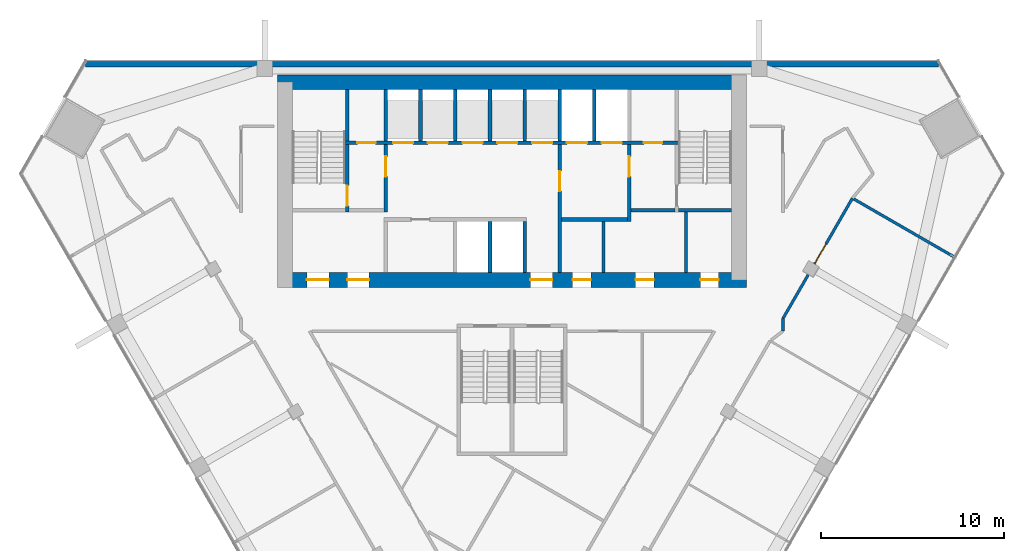
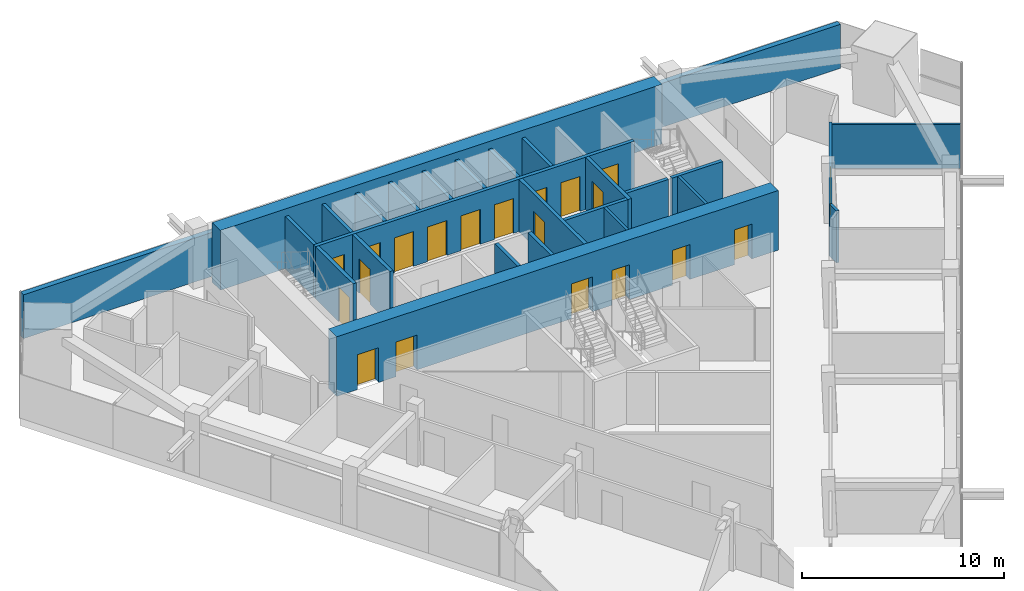
# One storey, part 10 of 13: 26 walls, 20 doors, 20 openings.
"""IFC4 building model written with IfcOpenShell, lengths in metres."""

from ifc_helpers import new_model, si_unit, direction, frame, frame_2d, origin, place, context, subcontext, project, spatial, rectangle, extrude, material, layer, layer_set, type_object, element, fill, save


model = new_model("IFC4")

# Units and contexts
model_context = context("Model", 3, precision=1e-05, world=origin(), true_north=direction((0.0, 1.0)))
body_context = subcontext(model_context, "Body", "Model", "MODEL_VIEW")
ifc_project = project(units=[si_unit("LENGTHUNIT", "METRE"), si_unit("AREAUNIT", "SQUARE_METRE"), si_unit("VOLUMEUNIT", "CUBIC_METRE"), si_unit("PLANEANGLEUNIT", "RADIAN"), si_unit("MASSUNIT", "GRAM", prefix="KILO")], contexts=[model_context])

# Site, building, storey
site_placement = place(None, origin())
site = spatial("IfcSite", under=ifc_project, at=site_placement, CompositionType="ELEMENT")
building_placement = place(site_placement, origin())
building = spatial("IfcBuilding", under=site, at=building_placement, Name="Altiplano Prism Tower", CompositionType="ELEMENT")
storey_placement = place(building_placement, frame((0.0, 0.0, 160.199951171875)))
storey = spatial("IfcBuildingStorey", under=building, at=storey_placement, Name="L41", CompositionType="ELEMENT", Elevation=160.199951171875)

# Wall, openings, doors
ifc_material_1 = material(Name="Concrete C60/75", Category="concrete")
ifc_layer_1 = layer(ifc_material_1, 0.800048828125)
ifc_layer_set_1 = layer_set([ifc_layer_1], Name="Concrete C60/75")
wall_type_1 = type_object("IfcWallType", Name="Core wall 800", PredefinedType="SHEAR", material=ifc_layer_set_1)
wall_1_placement = place(storey_placement, frame((72.60009765625, 93.0, 0.0), z_axis=(0.0, 0.0, 1.0), x_axis=(1.0, 0.0, 0.0)))
wall_1 = element("IfcWall", 1, at=wall_1_placement, inside=storey, type_object=wall_type_1, Name="Core wall S L41", PredefinedType="SHEAR", context=body_context, shape_type="SweptSolid", body=[
    extrude(rectangle(XDim=25.199951171875, YDim=0.800048828125, at=frame_2d((12.60009765625, 0.0))), origin(), (0.0, 0.0, 1.0), 3.60009765625),
])
opening_1_placement = place(wall_1_placement, frame((1.199951171875, 0.0, 0.0)))
opening_1 = element("IfcOpeningElement", 2, at=opening_1_placement, cuts=wall_1, Name="Opening D3145", PredefinedType="OPENING", context=body_context, shape_type="SweptSolid", body=[
    extrude(rectangle(XDim=1.199951171875, YDim=2.10009765625, at=frame_2d((0.60009765625, 1.050048828125))), frame((0.0, 0.41064453125, 0.0), z_axis=(0.0, -1.0, 0.0), x_axis=(1.0, 0.0, 0.0)), (0.0, 0.0, 1.0), 0.821044921875),
])
opening_2_placement = place(wall_1_placement, frame((3.39990234375, 0.0, 0.0)))
opening_2 = element("IfcOpeningElement", 3, at=opening_2_placement, cuts=wall_1, Name="Opening D3146", PredefinedType="OPENING", context=body_context, shape_type="SweptSolid", body=[
    extrude(rectangle(XDim=1.199951171875, YDim=2.10009765625, at=frame_2d((0.60009765625, 1.050048828125))), frame((0.0, 0.41064453125, 0.0), z_axis=(0.0, -1.0, 0.0), x_axis=(1.0, 0.0, 0.0)), (0.0, 0.0, 1.0), 0.821044921875),
])
opening_3_placement = place(wall_1_placement, frame((13.39990234375, 0.0, 0.0)))
opening_3 = element("IfcOpeningElement", 4, at=opening_3_placement, cuts=wall_1, Name="Opening D3147", PredefinedType="OPENING", context=body_context, shape_type="SweptSolid", body=[
    extrude(rectangle(XDim=1.199951171875, YDim=2.10009765625, at=frame_2d((0.60009765625, 1.050048828125))), frame((0.0, 0.41064453125, 0.0), z_axis=(0.0, -1.0, 0.0), x_axis=(1.0, 0.0, 0.0)), (0.0, 0.0, 1.0), 0.821044921875),
])
opening_4_placement = place(wall_1_placement, frame((15.71240234375, 0.0, 0.0)))
opening_4 = element("IfcOpeningElement", 5, at=opening_4_placement, cuts=wall_1, Name="Opening D3150", PredefinedType="OPENING", context=body_context, shape_type="SweptSolid", body=[
    extrude(rectangle(XDim=1.0, YDim=2.10009765625, at=frame_2d((0.5, 1.050048828125))), frame((0.0, 0.41064453125, 0.0), z_axis=(0.0, -1.0, 0.0), x_axis=(1.0, 0.0, 0.0)), (0.0, 0.0, 1.0), 0.821044921875),
])
opening_5_placement = place(wall_1_placement, frame((19.14990234375, 0.0, 0.0)))
opening_5 = element("IfcOpeningElement", 6, at=opening_5_placement, cuts=wall_1, Name="Opening D3151", PredefinedType="OPENING", context=body_context, shape_type="SweptSolid", body=[
    extrude(rectangle(XDim=1.0, YDim=2.10009765625, at=frame_2d((0.5, 1.050048828125))), frame((0.0, 0.41064453125, 0.0), z_axis=(0.0, -1.0, 0.0), x_axis=(1.0, 0.0, 0.0)), (0.0, 0.0, 1.0), 0.821044921875),
])
opening_6_placement = place(wall_1_placement, frame((22.6875, 0.0, 0.0)))
opening_6 = element("IfcOpeningElement", 7, at=opening_6_placement, cuts=wall_1, Name="Opening D3152", PredefinedType="OPENING", context=body_context, shape_type="SweptSolid", body=[
    extrude(rectangle(XDim=1.0, YDim=2.10009765625, at=frame_2d((0.5, 1.050048828125))), frame((0.0, 0.41064453125, 0.0), z_axis=(0.0, -1.0, 0.0), x_axis=(1.0, 0.0, 0.0)), (0.0, 0.0, 1.0), 0.821044921875),
])
ifc_material_2 = material(Name="Fire-rated steel door", Category="steel")
door_type_1 = type_object("IfcDoorType", Name="Core room door 1000 x 2100", OperationType="NOTDEFINED", PredefinedType="NOTDEFINED", material=ifc_material_2)
door_1_placement = place(opening_4_placement, origin())
door_1 = element("IfcDoor", 8, at=door_1_placement, inside=storey, type_object=door_type_1, Name="Core room door D3150", OperationType="SINGLE_SWING_RIGHT", OverallHeight=2.10009765625, OverallWidth=1.0, PredefinedType="NOTDEFINED", context=body_context, shape_type="SweptSolid", body=[
    extrude(rectangle(XDim=1.0, YDim=2.10009765625, at=frame_2d((0.5, 1.050048828125))), frame((0.0, 0.02490234375, 0.0), z_axis=(0.0, -1.0, 0.0), x_axis=(1.0, 0.0, 0.0)), (0.0, 0.0, 1.0), 0.050048828125),
])
fill(opening_4, door_1)
door_2_placement = place(opening_5_placement, origin())
door_2 = element("IfcDoor", 9, at=door_2_placement, inside=storey, type_object=door_type_1, Name="Core room door D3151", OperationType="SINGLE_SWING_LEFT", OverallHeight=2.10009765625, OverallWidth=1.0, PredefinedType="NOTDEFINED", context=body_context, shape_type="SweptSolid", body=[
    extrude(rectangle(XDim=1.0, YDim=2.10009765625, at=frame_2d((0.5, 1.050048828125))), frame((0.0, 0.02490234375, 0.0), z_axis=(0.0, -1.0, 0.0), x_axis=(1.0, 0.0, 0.0)), (0.0, 0.0, 1.0), 0.050048828125),
])
fill(opening_5, door_2)
door_3_placement = place(opening_6_placement, origin())
door_3 = element("IfcDoor", 10, at=door_3_placement, inside=storey, type_object=door_type_1, Name="Core room door D3152", OperationType="SINGLE_SWING_RIGHT", OverallHeight=2.10009765625, OverallWidth=1.0, PredefinedType="NOTDEFINED", context=body_context, shape_type="SweptSolid", body=[
    extrude(rectangle(XDim=1.0, YDim=2.10009765625, at=frame_2d((0.5, 1.050048828125))), frame((0.0, 0.02490234375, 0.0), z_axis=(0.0, -1.0, 0.0), x_axis=(1.0, 0.0, 0.0)), (0.0, 0.0, 1.0), 0.050048828125),
])
fill(opening_6, door_3)
door_type_2 = type_object("IfcDoorType", Name="Lobby fire door 1200 x 2100", OperationType="NOTDEFINED", PredefinedType="NOTDEFINED", material=ifc_material_2)
door_4_placement = place(opening_1_placement, origin())
door_4 = element("IfcDoor", 11, at=door_4_placement, inside=storey, type_object=door_type_2, Name="Lobby fire door D3145", OperationType="SINGLE_SWING_RIGHT", OverallHeight=2.10009765625, OverallWidth=1.199951171875, PredefinedType="NOTDEFINED", context=body_context, shape_type="SweptSolid", body=[
    extrude(rectangle(XDim=1.199951171875, YDim=2.10009765625, at=frame_2d((0.60009765625, 1.050048828125))), frame((0.0, 0.02490234375, 0.0), z_axis=(0.0, -1.0, 0.0), x_axis=(1.0, 0.0, 0.0)), (0.0, 0.0, 1.0), 0.050048828125),
])
fill(opening_1, door_4)
door_5_placement = place(opening_2_placement, origin())
door_5 = element("IfcDoor", 12, at=door_5_placement, inside=storey, type_object=door_type_2, Name="Lobby fire door D3146", OperationType="SINGLE_SWING_LEFT", OverallHeight=2.10009765625, OverallWidth=1.199951171875, PredefinedType="NOTDEFINED", context=body_context, shape_type="SweptSolid", body=[
    extrude(rectangle(XDim=1.199951171875, YDim=2.10009765625, at=frame_2d((0.60009765625, 1.050048828125))), frame((0.0, 0.02490234375, 0.0), z_axis=(0.0, -1.0, 0.0), x_axis=(1.0, 0.0, 0.0)), (0.0, 0.0, 1.0), 0.050048828125),
])
fill(opening_2, door_5)
door_6_placement = place(opening_3_placement, origin())
door_6 = element("IfcDoor", 13, at=door_6_placement, inside=storey, type_object=door_type_2, Name="Lobby fire door D3147", OperationType="SINGLE_SWING_RIGHT", OverallHeight=2.10009765625, OverallWidth=1.199951171875, PredefinedType="NOTDEFINED", context=body_context, shape_type="SweptSolid", body=[
    extrude(rectangle(XDim=1.199951171875, YDim=2.10009765625, at=frame_2d((0.60009765625, 1.050048828125))), frame((0.0, 0.02490234375, 0.0), z_axis=(0.0, -1.0, 0.0), x_axis=(1.0, 0.0, 0.0)), (0.0, 0.0, 1.0), 0.050048828125),
])
fill(opening_3, door_6)

# Walls
wall_2_placement = place(storey_placement, frame((97.39990234375, 103.800048828125, 0.0), z_axis=(0.0, 0.0, 1.0), x_axis=(-1.0, 0.0, 0.0)))
element("IfcWall", 14, at=wall_2_placement, inside=storey, type_object=wall_type_1, Name="Core wall N L41", PredefinedType="SHEAR", context=body_context, shape_type="SweptSolid", body=[
    extrude(rectangle(XDim=25.199951171875, YDim=0.800048828125, at=frame_2d((12.60009765625, 0.0))), origin(), (0.0, 0.0, 1.0), 3.60009765625),
])
ifc_material_3 = material(Name="Plasterboard on steel stud", Category="steel")
ifc_layer_2 = layer(ifc_material_3, 0.14990234375)
ifc_layer_set_2 = layer_set([ifc_layer_2], Name="Plasterboard on steel stud")
wall_type_2 = type_object("IfcWallType", Name="Partition 150 corridor", PredefinedType="PARTITIONING", material=ifc_layer_set_2)
wall_3_placement = place(storey_placement, frame((99.800048828125, 90.199951171875, 0.0), z_axis=(0.0, 0.0, 1.0), x_axis=(0.0, 1.0, 0.0)))
element("IfcWall", 15, at=wall_3_placement, inside=storey, type_object=wall_type_2, Name="Partition P06 L41 011", PredefinedType="PARTITIONING", context=body_context, shape_type="SweptSolid", body=[
    extrude(rectangle(XDim=0.686767578125, YDim=0.14990234375, at=frame_2d((0.34326171875, 0.0))), origin(), (0.0, 0.0, 1.0), 3.150146484375),
])

# Wall, opening, door
wall_4_placement = place(storey_placement, frame((99.800048828125, 90.88671875, 0.0), z_axis=(0.0, 0.0, 1.0), x_axis=(0.499986781806, 0.866033035178, 0.0)))
wall_4 = element("IfcWall", 16, at=wall_4_placement, inside=storey, type_object=wall_type_2, Name="Partition P06 L41 012", PredefinedType="PARTITIONING", context=body_context, shape_type="SweptSolid", body=[
    extrude(rectangle(XDim=7.595458984375, YDim=0.14990234375, at=frame_2d((3.7978515625, 0.0))), origin(), (0.0, 0.0, 1.0), 2.75),
])
opening_7_placement = place(wall_4_placement, frame((3.510986328125, 0.0, 0.0)))
opening_7 = element("IfcOpeningElement", 17, at=opening_7_placement, cuts=wall_4, Name="Opening D1468", PredefinedType="OPENING", context=body_context, shape_type="SweptSolid", body=[
    extrude(rectangle(XDim=1.199951171875, YDim=2.10009765625, at=frame_2d((0.60009765625, 1.050048828125))), frame((0.0, 0.08544921875, 0.0), z_axis=(0.0, -1.0, 0.0), x_axis=(1.0, 0.0, 0.0)), (0.0, 0.0, 1.0), 0.1708984375),
])
ifc_material_4 = material(Name="Timber", Category="wood")
door_type_3 = type_object("IfcDoorType", Name="Shared room door 1200 x 2100", OperationType="NOTDEFINED", PredefinedType="NOTDEFINED", material=ifc_material_4)
door_7_placement = place(opening_7_placement, origin())
door_7 = element("IfcDoor", 18, at=door_7_placement, inside=storey, type_object=door_type_3, Name="Door D1468", OperationType="SINGLE_SWING_LEFT", OverallHeight=2.10009765625, OverallWidth=1.199951171875, PredefinedType="NOTDEFINED", context=body_context, shape_type="SweptSolid", body=[
    extrude(rectangle(XDim=1.199951171875, YDim=2.10009765625, at=frame_2d((0.60009765625, 1.050048828125))), frame((0.0, 0.02490234375, 0.0), z_axis=(0.0, -1.0, 0.0), x_axis=(1.0, 0.0, 0.0)), (0.0, 0.0, 1.0), 0.050048828125),
])
fill(opening_7, door_7)

# Walls
ifc_layer_3 = layer(ifc_material_3, 0.14990234375)
ifc_layer_set_3 = layer_set([ifc_layer_3], Name="Plasterboard on steel stud")
wall_type_3 = type_object("IfcWallType", Name="Partition 150 party", PredefinedType="PARTITIONING", material=ifc_layer_set_3)
wall_5_placement = place(storey_placement, frame((109.140380859375, 94.2646484375, 0.0), z_axis=(0.0, 0.0, 1.0), x_axis=(-0.866025537322, 0.499999768706, 0.0)))
element("IfcWall", 19, at=wall_5_placement, inside=storey, type_object=wall_type_3, Name="Partition P01 L41 047", PredefinedType="PARTITIONING", context=body_context, shape_type="SweptSolid", body=[
    extrude(rectangle(XDim=6.3251953125, YDim=0.14990234375, at=frame_2d((3.16259765625, 0.0))), origin(), (0.0, 0.0, 1.0), 2.650146484375),
])
ifc_material_5 = material(Name="Fire-rated gypsum board partition")
ifc_layer_4 = layer(ifc_material_5, 0.14990234375)
ifc_layer_set_4 = layer_set([ifc_layer_4], Name="Fire-rated gypsum board partition")
wall_type_4 = type_object("IfcWallType", Name="Room partition 150", PredefinedType="PARTITIONING", material=ifc_layer_set_4)
wall_6_placement = place(storey_placement, frame((90.0, 93.39990234375, 0.0), z_axis=(0.0, 0.0, 1.0), x_axis=(0.0, 1.0, 0.0)))
element("IfcWall", 20, at=wall_6_placement, inside=storey, type_object=wall_type_4, Name="Room partition L41", PredefinedType="PARTITIONING", context=body_context, shape_type="SweptSolid", body=[
    extrude(rectangle(XDim=2.800048828125, YDim=0.14990234375, at=frame_2d((1.39990234375, 0.0))), origin(), (0.0, 0.0, 1.0), 3.150146484375),
])
wall_7_placement = place(storey_placement, frame((94.5, 93.39990234375, 0.0), z_axis=(0.0, 0.0, 1.0), x_axis=(0.0, 1.0, 0.0)))
element("IfcWall", 21, at=wall_7_placement, inside=storey, type_object=wall_type_4, Name="Room partition L41", PredefinedType="PARTITIONING", context=body_context, shape_type="SweptSolid", body=[
    extrude(rectangle(XDim=3.300048828125, YDim=0.14990234375, at=frame_2d((1.64990234375, 0.0))), origin(), (0.0, 0.0, 1.0), 3.150146484375),
])
ifc_layer_5 = layer(ifc_material_1, 0.199951171875)
ifc_layer_set_5 = layer_set([ifc_layer_5], Name="Concrete C60/75")
wall_type_5 = type_object("IfcWallType", Name="Shaft wall 200", PredefinedType="SOLIDWALL", material=ifc_layer_set_5)
for number, where, z_axis, x_axis, name in (
    (22, (83.800048828125, 93.39990234375, 0.0), (0.0, 0.0, 1.0), (0.0, 1.0, 0.0), "Shaft wall L41"),
    (23, (85.699951171875, 93.39990234375, 0.0), (0.0, 0.0, 1.0), (0.0, 1.0, 0.0), "Shaft wall L41"),
):
    element("IfcWall", number, at=place(storey_placement, frame(where, z_axis=z_axis, x_axis=x_axis)), inside=storey, type_object=wall_type_5, Name=name, PredefinedType="SOLIDWALL", context=body_context, shape_type="SweptSolid", body=[
        extrude(rectangle(XDim=2.800048828125, YDim=0.199951171875, at=frame_2d((1.39990234375, 0.0))), origin(), (0.0, 0.0, 1.0), 3.150146484375),
    ])
for number, where, z_axis, x_axis, name in (
    (24, (78.10009765625, 100.60009765625, 0.0), (0.0, 0.0, 1.0), (0.0, 1.0, 0.0), "Shaft wall L41"),
    (25, (80.0, 100.60009765625, 0.0), (0.0, 0.0, 1.0), (0.0, 1.0, 0.0), "Shaft wall L41"),
    (26, (81.89990234375, 100.60009765625, 0.0), (0.0, 0.0, 1.0), (0.0, 1.0, 0.0), "Shaft wall L41"),
    (27, (83.800048828125, 100.60009765625, 0.0), (0.0, 0.0, 1.0), (0.0, 1.0, 0.0), "Shaft wall L41"),
    (28, (85.699951171875, 100.60009765625, 0.0), (0.0, 0.0, 1.0), (0.0, 1.0, 0.0), "Shaft wall L41"),
    (29, (87.60009765625, 100.60009765625, 0.0), (0.0, 0.0, 1.0), (0.0, 1.0, 0.0), "Shaft wall L41"),
    (30, (89.5, 100.60009765625, 0.0), (0.0, 0.0, 1.0), (0.0, 1.0, 0.0), "Shaft wall L41"),
):
    element("IfcWall", number, at=place(storey_placement, frame(where, z_axis=z_axis, x_axis=x_axis)), inside=storey, type_object=wall_type_5, Name=name, PredefinedType="SOLIDWALL", context=body_context, shape_type="SweptSolid", body=[
        extrude(rectangle(XDim=2.7998046875, YDim=0.199951171875, at=frame_2d((1.39990234375, 0.0))), origin(), (0.0, 0.0, 1.0), 3.150146484375),
    ])

# Wall, opening, door
ifc_layer_6 = layer(ifc_material_1, 0.199951171875)
ifc_layer_set_6 = layer_set([ifc_layer_6], Name="Concrete C60/75")
wall_type_6 = type_object("IfcWallType", Name="Stair wall 200", PredefinedType="SOLIDWALL", material=ifc_layer_set_6)
wall_8_placement = place(storey_placement, frame((76.0, 96.699951171875, 0.0), z_axis=(0.0, 0.0, 1.0), x_axis=(0.0, 1.0, 0.0)))
wall_8 = element("IfcWall", 31, at=wall_8_placement, inside=storey, type_object=wall_type_6, Name="Stair wall L41", PredefinedType="SOLIDWALL", context=body_context, shape_type="SweptSolid", body=[
    extrude(rectangle(XDim=3.699951171875, YDim=0.199951171875, at=frame_2d((1.85009765625, 0.0))), origin(), (0.0, 0.0, 1.0), 3.150146484375),
])
opening_8_placement = place(wall_8_placement, frame((0.35009765625, 0.0, 0.0)))
opening_8 = element("IfcOpeningElement", 32, at=opening_8_placement, cuts=wall_8, Name="Opening D3140", PredefinedType="OPENING", context=body_context, shape_type="SweptSolid", body=[
    extrude(rectangle(XDim=1.10009765625, YDim=2.10009765625, at=frame_2d((0.550048828125, 1.050048828125))), frame((0.0, 0.1103515625, 0.0), z_axis=(0.0, -1.0, 0.0), x_axis=(1.0, 0.0, 0.0)), (0.0, 0.0, 1.0), 0.220947265625),
])
door_type_4 = type_object("IfcDoorType", Name="Stair fire door 1100 x 2100", OperationType="NOTDEFINED", PredefinedType="NOTDEFINED", material=ifc_material_2)
door_8_placement = place(opening_8_placement, origin())
door_8 = element("IfcDoor", 33, at=door_8_placement, inside=storey, type_object=door_type_4, Name="Stair fire door D3140", OperationType="SINGLE_SWING_RIGHT", OverallHeight=2.10009765625, OverallWidth=1.10009765625, PredefinedType="NOTDEFINED", context=body_context, shape_type="SweptSolid", body=[
    extrude(rectangle(XDim=1.10009765625, YDim=2.10009765625, at=frame_2d((0.550048828125, 1.050048828125))), frame((0.0, 0.02490234375, 0.0), z_axis=(0.0, -1.0, 0.0), x_axis=(1.0, 0.0, 0.0)), (0.0, 0.0, 1.0), 0.050048828125),
])
fill(opening_8, door_8)

# Wall
wall_9_placement = place(storey_placement, frame((94.10009765625, 96.800048828125, 0.0), z_axis=(0.0, 0.0, 1.0), x_axis=(1.0, 0.0, 0.0)))
element("IfcWall", 34, at=wall_9_placement, inside=storey, type_object=wall_type_6, Name="Stair wall L41", PredefinedType="SOLIDWALL", context=body_context, shape_type="SweptSolid", body=[
    extrude(rectangle(XDim=2.89990234375, YDim=0.199951171875, at=frame_2d((1.449951171875, 0.0))), origin(), (0.0, 0.0, 1.0), 3.150146484375),
])

# Wall, openings, doors
wall_10_placement = place(storey_placement, frame((75.89990234375, 100.5, 0.0), z_axis=(0.0, 0.0, 1.0), x_axis=(1.0, 0.0, 0.0)))
wall_10 = element("IfcWall", 35, at=wall_10_placement, inside=storey, type_object=wall_type_6, Name="Stair wall L41", PredefinedType="SOLIDWALL", context=body_context, shape_type="SweptSolid", body=[
    extrude(rectangle(XDim=18.2001953125, YDim=0.199951171875, at=frame_2d((9.10009765625, 0.0))), origin(), (0.0, 0.0, 1.0), 3.150146484375),
])
opening_9_placement = place(wall_10_placement, frame((2.60009765625, 0.0, 0.0)))
opening_9 = element("IfcOpeningElement", 36, at=opening_9_placement, cuts=wall_10, Name="Opening LD-ML1-L41", PredefinedType="OPENING", context=body_context, shape_type="SweptSolid", body=[
    extrude(rectangle(XDim=1.10009765625, YDim=2.10009765625, at=frame_2d((0.550048828125, 1.050048828125))), frame((0.0, 0.1103515625, 0.0), z_axis=(0.0, -1.0, 0.0), x_axis=(1.0, 0.0, 0.0)), (0.0, 0.0, 1.0), 0.220947265625),
])
opening_10_placement = place(wall_10_placement, frame((4.5, 0.0, 0.0)))
opening_10 = element("IfcOpeningElement", 37, at=opening_10_placement, cuts=wall_10, Name="Opening LD-ML2-L41", PredefinedType="OPENING", context=body_context, shape_type="SweptSolid", body=[
    extrude(rectangle(XDim=1.10009765625, YDim=2.10009765625, at=frame_2d((0.550048828125, 1.050048828125))), frame((0.0, 0.1103515625, 0.0), z_axis=(0.0, -1.0, 0.0), x_axis=(1.0, 0.0, 0.0)), (0.0, 0.0, 1.0), 0.220947265625),
])
opening_11_placement = place(wall_10_placement, frame((6.39990234375, 0.0, 0.0)))
opening_11 = element("IfcOpeningElement", 38, at=opening_11_placement, cuts=wall_10, Name="Opening LD-ML3-L41", PredefinedType="OPENING", context=body_context, shape_type="SweptSolid", body=[
    extrude(rectangle(XDim=1.10009765625, YDim=2.10009765625, at=frame_2d((0.550048828125, 1.050048828125))), frame((0.0, 0.1103515625, 0.0), z_axis=(0.0, -1.0, 0.0), x_axis=(1.0, 0.0, 0.0)), (0.0, 0.0, 1.0), 0.220947265625),
])
opening_12_placement = place(wall_10_placement, frame((8.300048828125, 0.0, 0.0)))
opening_12 = element("IfcOpeningElement", 39, at=opening_12_placement, cuts=wall_10, Name="Opening LD-ML4-L41", PredefinedType="OPENING", context=body_context, shape_type="SweptSolid", body=[
    extrude(rectangle(XDim=1.10009765625, YDim=2.10009765625, at=frame_2d((0.550048828125, 1.050048828125))), frame((0.0, 0.1103515625, 0.0), z_axis=(0.0, -1.0, 0.0), x_axis=(1.0, 0.0, 0.0)), (0.0, 0.0, 1.0), 0.220947265625),
])
opening_13_placement = place(wall_10_placement, frame((10.199951171875, 0.0, 0.0)))
opening_13 = element("IfcOpeningElement", 40, at=opening_13_placement, cuts=wall_10, Name="Opening LD-ML5-L41", PredefinedType="OPENING", context=body_context, shape_type="SweptSolid", body=[
    extrude(rectangle(XDim=1.10009765625, YDim=2.10009765625, at=frame_2d((0.550048828125, 1.050048828125))), frame((0.0, 0.1103515625, 0.0), z_axis=(0.0, -1.0, 0.0), x_axis=(1.0, 0.0, 0.0)), (0.0, 0.0, 1.0), 0.220947265625),
])
opening_14_placement = place(wall_10_placement, frame((12.10009765625, 0.0, 0.0)))
opening_14 = element("IfcOpeningElement", 41, at=opening_14_placement, cuts=wall_10, Name="Opening LD-FF1-L41", PredefinedType="OPENING", context=body_context, shape_type="SweptSolid", body=[
    extrude(rectangle(XDim=1.10009765625, YDim=2.10009765625, at=frame_2d((0.550048828125, 1.050048828125))), frame((0.0, 0.1103515625, 0.0), z_axis=(0.0, -1.0, 0.0), x_axis=(1.0, 0.0, 0.0)), (0.0, 0.0, 1.0), 0.220947265625),
])
opening_15_placement = place(wall_10_placement, frame((14.0, 0.0, 0.0)))
opening_15 = element("IfcOpeningElement", 42, at=opening_15_placement, cuts=wall_10, Name="Opening LD-FF2-L41", PredefinedType="OPENING", context=body_context, shape_type="SweptSolid", body=[
    extrude(rectangle(XDim=1.10009765625, YDim=2.10009765625, at=frame_2d((0.550048828125, 1.050048828125))), frame((0.0, 0.1103515625, 0.0), z_axis=(0.0, -1.0, 0.0), x_axis=(1.0, 0.0, 0.0)), (0.0, 0.0, 1.0), 0.220947265625),
])
opening_16_placement = place(wall_10_placement, frame((0.64990234375, 0.0, 0.0)))
opening_16 = element("IfcOpeningElement", 43, at=opening_16_placement, cuts=wall_10, Name="Opening D3148", PredefinedType="OPENING", context=body_context, shape_type="SweptSolid", body=[
    extrude(rectangle(XDim=1.0, YDim=2.10009765625, at=frame_2d((0.5, 1.050048828125))), frame((0.0, 0.1103515625, 0.0), z_axis=(0.0, -1.0, 0.0), x_axis=(1.0, 0.0, 0.0)), (0.0, 0.0, 1.0), 0.220947265625),
])
opening_17_placement = place(wall_10_placement, frame((16.300048828125, 0.0, 0.0)))
opening_17 = element("IfcOpeningElement", 44, at=opening_17_placement, cuts=wall_10, Name="Opening D3149", PredefinedType="OPENING", context=body_context, shape_type="SweptSolid", body=[
    extrude(rectangle(XDim=1.0, YDim=2.10009765625, at=frame_2d((0.5, 1.050048828125))), frame((0.0, 0.1103515625, 0.0), z_axis=(0.0, -1.0, 0.0), x_axis=(1.0, 0.0, 0.0)), (0.0, 0.0, 1.0), 0.220947265625),
])
door_9_placement = place(opening_16_placement, origin())
door_9 = element("IfcDoor", 45, at=door_9_placement, inside=storey, type_object=door_type_1, Name="Core room door D3148", OperationType="SINGLE_SWING_LEFT", OverallHeight=2.10009765625, OverallWidth=1.0, PredefinedType="NOTDEFINED", context=body_context, shape_type="SweptSolid", body=[
    extrude(rectangle(XDim=1.0, YDim=2.10009765625, at=frame_2d((0.5, 1.050048828125))), frame((0.0, 0.02490234375, 0.0), z_axis=(0.0, -1.0, 0.0), x_axis=(1.0, 0.0, 0.0)), (0.0, 0.0, 1.0), 0.050048828125),
])
fill(opening_16, door_9)
door_10_placement = place(opening_17_placement, origin())
door_10 = element("IfcDoor", 46, at=door_10_placement, inside=storey, type_object=door_type_1, Name="Core room door D3149", OperationType="SINGLE_SWING_RIGHT", OverallHeight=2.10009765625, OverallWidth=1.0, PredefinedType="NOTDEFINED", context=body_context, shape_type="SweptSolid", body=[
    extrude(rectangle(XDim=1.0, YDim=2.10009765625, at=frame_2d((0.5, 1.050048828125))), frame((0.0, 0.02490234375, 0.0), z_axis=(0.0, -1.0, 0.0), x_axis=(1.0, 0.0, 0.0)), (0.0, 0.0, 1.0), 0.050048828125),
])
fill(opening_17, door_10)
ifc_material_6 = material(Name="Stainless steel landing door", Category="steel")
door_type_5 = type_object("IfcDoorType", Name="Landing door 1100 x 2100", OperationType="NOTDEFINED", PredefinedType="NOTDEFINED", material=ifc_material_6)
door_11_placement = place(opening_9_placement, origin())
door_11 = element("IfcDoor", 47, at=door_11_placement, inside=storey, type_object=door_type_5, Name="Landing doors ML1", OperationType="SLIDING_TO_RIGHT", OverallHeight=2.10009765625, OverallWidth=1.10009765625, PredefinedType="NOTDEFINED", context=body_context, shape_type="SweptSolid", body=[
    extrude(rectangle(XDim=1.10009765625, YDim=2.10009765625, at=frame_2d((0.550048828125, 1.050048828125))), frame((0.0, 0.02490234375, 0.0), z_axis=(0.0, -1.0, 0.0), x_axis=(1.0, 0.0, 0.0)), (0.0, 0.0, 1.0), 0.050048828125),
])
fill(opening_9, door_11)
door_12_placement = place(opening_10_placement, origin())
door_12 = element("IfcDoor", 48, at=door_12_placement, inside=storey, type_object=door_type_5, Name="Landing doors ML2", OperationType="SLIDING_TO_LEFT", OverallHeight=2.10009765625, OverallWidth=1.10009765625, PredefinedType="NOTDEFINED", context=body_context, shape_type="SweptSolid", body=[
    extrude(rectangle(XDim=1.10009765625, YDim=2.10009765625, at=frame_2d((0.550048828125, 1.050048828125))), frame((0.0, 0.02490234375, 0.0), z_axis=(0.0, -1.0, 0.0), x_axis=(1.0, 0.0, 0.0)), (0.0, 0.0, 1.0), 0.050048828125),
])
fill(opening_10, door_12)
door_13_placement = place(opening_11_placement, origin())
door_13 = element("IfcDoor", 49, at=door_13_placement, inside=storey, type_object=door_type_5, Name="Landing doors ML3", OperationType="SLIDING_TO_RIGHT", OverallHeight=2.10009765625, OverallWidth=1.10009765625, PredefinedType="NOTDEFINED", context=body_context, shape_type="SweptSolid", body=[
    extrude(rectangle(XDim=1.10009765625, YDim=2.10009765625, at=frame_2d((0.550048828125, 1.050048828125))), frame((0.0, 0.02490234375, 0.0), z_axis=(0.0, -1.0, 0.0), x_axis=(1.0, 0.0, 0.0)), (0.0, 0.0, 1.0), 0.050048828125),
])
fill(opening_11, door_13)
door_14_placement = place(opening_12_placement, origin())
door_14 = element("IfcDoor", 50, at=door_14_placement, inside=storey, type_object=door_type_5, Name="Landing doors ML4", OperationType="SLIDING_TO_LEFT", OverallHeight=2.10009765625, OverallWidth=1.10009765625, PredefinedType="NOTDEFINED", context=body_context, shape_type="SweptSolid", body=[
    extrude(rectangle(XDim=1.10009765625, YDim=2.10009765625, at=frame_2d((0.550048828125, 1.050048828125))), frame((0.0, 0.02490234375, 0.0), z_axis=(0.0, -1.0, 0.0), x_axis=(1.0, 0.0, 0.0)), (0.0, 0.0, 1.0), 0.050048828125),
])
fill(opening_12, door_14)
door_15_placement = place(opening_13_placement, origin())
door_15 = element("IfcDoor", 51, at=door_15_placement, inside=storey, type_object=door_type_5, Name="Landing doors ML5", OperationType="SLIDING_TO_RIGHT", OverallHeight=2.10009765625, OverallWidth=1.10009765625, PredefinedType="NOTDEFINED", context=body_context, shape_type="SweptSolid", body=[
    extrude(rectangle(XDim=1.10009765625, YDim=2.10009765625, at=frame_2d((0.550048828125, 1.050048828125))), frame((0.0, 0.02490234375, 0.0), z_axis=(0.0, -1.0, 0.0), x_axis=(1.0, 0.0, 0.0)), (0.0, 0.0, 1.0), 0.050048828125),
])
fill(opening_13, door_15)
door_16_placement = place(opening_14_placement, origin())
door_16 = element("IfcDoor", 52, at=door_16_placement, inside=storey, type_object=door_type_5, Name="Landing doors FF1", OperationType="SLIDING_TO_RIGHT", OverallHeight=2.10009765625, OverallWidth=1.10009765625, PredefinedType="NOTDEFINED", context=body_context, shape_type="SweptSolid", body=[
    extrude(rectangle(XDim=1.10009765625, YDim=2.10009765625, at=frame_2d((0.550048828125, 1.050048828125))), frame((0.0, 0.02490234375, 0.0), z_axis=(0.0, -1.0, 0.0), x_axis=(1.0, 0.0, 0.0)), (0.0, 0.0, 1.0), 0.050048828125),
])
fill(opening_14, door_16)
door_17_placement = place(opening_15_placement, origin())
door_17 = element("IfcDoor", 53, at=door_17_placement, inside=storey, type_object=door_type_5, Name="Landing doors FF2", OperationType="SLIDING_TO_LEFT", OverallHeight=2.10009765625, OverallWidth=1.10009765625, PredefinedType="NOTDEFINED", context=body_context, shape_type="SweptSolid", body=[
    extrude(rectangle(XDim=1.10009765625, YDim=2.10009765625, at=frame_2d((0.550048828125, 1.050048828125))), frame((0.0, 0.02490234375, 0.0), z_axis=(0.0, -1.0, 0.0), x_axis=(1.0, 0.0, 0.0)), (0.0, 0.0, 1.0), 0.050048828125),
])
fill(opening_15, door_17)

# Walls
wall_11_placement = place(storey_placement, frame((76.0, 100.60009765625, 0.0), z_axis=(0.0, 0.0, 1.0), x_axis=(0.0, 1.0, 0.0)))
element("IfcWall", 54, at=wall_11_placement, inside=storey, type_object=wall_type_6, Name="Stair wall L41", PredefinedType="SOLIDWALL", context=body_context, shape_type="SweptSolid", body=[
    extrude(rectangle(XDim=2.7998046875, YDim=0.199951171875, at=frame_2d((1.39990234375, 0.0))), origin(), (0.0, 0.0, 1.0), 3.150146484375),
])
ifc_material_7 = material(Name="Concrete C40", Category="concrete")
ifc_layer_7 = layer(ifc_material_7, 0.300048828125)
ifc_layer_set_7 = layer_set([ifc_layer_7], Name="Concrete C40")
wall_type_7 = type_object("IfcWallType", Name="Stone-clad external wall 300", PredefinedType="SOLIDWALL", material=ifc_layer_set_7)
wall_12_placement = place(storey_placement, frame((61.6982421875, 104.7900390625, 0.0), z_axis=(0.0, 0.0, 1.0), x_axis=(1.0, 0.0, 0.0)))
element("IfcWall", 55, at=wall_12_placement, inside=storey, type_object=wall_type_7, Name="External wall north face L41", PredefinedType="SOLIDWALL", context=body_context, shape_type="SweptSolid", body=[
    extrude(rectangle(XDim=46.603515625, YDim=0.300048828125, at=frame_2d((23.3017578125, 0.0))), origin(), (0.0, 0.0, 1.0), 2.650146484375),
])

# Wall, opening, door
ifc_layer_8 = layer(ifc_material_1, 0.199951171875)
ifc_layer_set_8 = layer_set([ifc_layer_8], Name="Concrete C60/75")
wall_type_8 = type_object("IfcWallType", Name="Vestibule wall 200", PredefinedType="PARTITIONING", material=ifc_layer_set_8)
wall_13_placement = place(storey_placement, frame((87.60009765625, 93.39990234375, 0.0), z_axis=(0.0, 0.0, 1.0), x_axis=(0.0, 1.0, 0.0)))
wall_13 = element("IfcWall", 56, at=wall_13_placement, inside=storey, type_object=wall_type_8, Name="Vestibule wall L41", PredefinedType="PARTITIONING", context=body_context, shape_type="SweptSolid", body=[
    extrude(rectangle(XDim=7.0, YDim=0.199951171875, at=frame_2d((3.5, 0.0))), origin(), (0.0, 0.0, 1.0), 3.150146484375),
])
opening_18_placement = place(wall_13_placement, frame((4.449951171875, 0.0, 0.0)))
opening_18 = element("IfcOpeningElement", 57, at=opening_18_placement, cuts=wall_13, Name="Opening D3143", PredefinedType="OPENING", context=body_context, shape_type="SweptSolid", body=[
    extrude(rectangle(XDim=1.10009765625, YDim=2.10009765625, at=frame_2d((0.550048828125, 1.050048828125))), frame((0.0, 0.1103515625, 0.0), z_axis=(0.0, -1.0, 0.0), x_axis=(1.0, 0.0, 0.0)), (0.0, 0.0, 1.0), 0.220947265625),
])
door_type_6 = type_object("IfcDoorType", Name="Vestibule fire door 1100 x 2100", OperationType="NOTDEFINED", PredefinedType="NOTDEFINED", material=ifc_material_2)
door_18_placement = place(opening_18_placement, origin())
door_18 = element("IfcDoor", 58, at=door_18_placement, inside=storey, type_object=door_type_6, Name="Vestibule fire door D3143", OperationType="SINGLE_SWING_RIGHT", OverallHeight=2.10009765625, OverallWidth=1.10009765625, PredefinedType="NOTDEFINED", context=body_context, shape_type="SweptSolid", body=[
    extrude(rectangle(XDim=1.10009765625, YDim=2.10009765625, at=frame_2d((0.550048828125, 1.050048828125))), frame((0.0, 0.02490234375, 0.0), z_axis=(0.0, -1.0, 0.0), x_axis=(1.0, 0.0, 0.0)), (0.0, 0.0, 1.0), 0.050048828125),
])
fill(opening_18, door_18)

# Wall
wall_14_placement = place(storey_placement, frame((87.699951171875, 96.300048828125, 0.0), z_axis=(0.0, 0.0, 1.0), x_axis=(1.0, 0.0, 0.0)))
element("IfcWall", 59, at=wall_14_placement, inside=storey, type_object=wall_type_8, Name="Vestibule wall L41", PredefinedType="PARTITIONING", context=body_context, shape_type="SweptSolid", body=[
    extrude(rectangle(XDim=3.60009765625, YDim=0.199951171875, at=frame_2d((1.800048828125, 0.0))), origin(), (0.0, 0.0, 1.0), 3.150146484375),
])

# Wall, opening, door
wall_15_placement = place(storey_placement, frame((91.39990234375, 96.199951171875, 0.0), z_axis=(0.0, 0.0, 1.0), x_axis=(0.0, 1.0, 0.0)))
wall_15 = element("IfcWall", 60, at=wall_15_placement, inside=storey, type_object=wall_type_8, Name="Vestibule wall L41", PredefinedType="PARTITIONING", context=body_context, shape_type="SweptSolid", body=[
    extrude(rectangle(XDim=4.199951171875, YDim=0.199951171875, at=frame_2d((2.10009765625, 0.0))), origin(), (0.0, 0.0, 1.0), 3.150146484375),
])
opening_19_placement = place(wall_15_placement, frame((2.449951171875, 0.0, 0.0)))
opening_19 = element("IfcOpeningElement", 61, at=opening_19_placement, cuts=wall_15, Name="Opening D3144", PredefinedType="OPENING", context=body_context, shape_type="SweptSolid", body=[
    extrude(rectangle(XDim=1.10009765625, YDim=2.10009765625, at=frame_2d((0.550048828125, 1.050048828125))), frame((0.0, 0.1103515625, 0.0), z_axis=(0.0, -1.0, 0.0), x_axis=(1.0, 0.0, 0.0)), (0.0, 0.0, 1.0), 0.220947265625),
])
door_19_placement = place(opening_19_placement, origin())
door_19 = element("IfcDoor", 62, at=door_19_placement, inside=storey, type_object=door_type_6, Name="Vestibule fire door D3144", OperationType="SINGLE_SWING_LEFT", OverallHeight=2.10009765625, OverallWidth=1.10009765625, PredefinedType="NOTDEFINED", context=body_context, shape_type="SweptSolid", body=[
    extrude(rectangle(XDim=1.10009765625, YDim=2.10009765625, at=frame_2d((0.550048828125, 1.050048828125))), frame((0.0, 0.02490234375, 0.0), z_axis=(0.0, -1.0, 0.0), x_axis=(1.0, 0.0, 0.0)), (0.0, 0.0, 1.0), 0.050048828125),
])
fill(opening_19, door_19)

wall_16_placement = place(storey_placement, frame((78.10009765625, 96.699951171875, 0.0), z_axis=(0.0, 0.0, 1.0), x_axis=(0.0, 1.0, 0.0)))
wall_16 = element("IfcWall", 63, at=wall_16_placement, inside=storey, type_object=wall_type_8, Name="Vestibule wall L41", PredefinedType="PARTITIONING", context=body_context, shape_type="SweptSolid", body=[
    extrude(rectangle(XDim=3.699951171875, YDim=0.199951171875, at=frame_2d((1.85009765625, 0.0))), origin(), (0.0, 0.0, 1.0), 3.150146484375),
])
opening_20_placement = place(wall_16_placement, frame((1.949951171875, 0.0, 0.0)))
opening_20 = element("IfcOpeningElement", 64, at=opening_20_placement, cuts=wall_16, Name="Opening D3142", PredefinedType="OPENING", context=body_context, shape_type="SweptSolid", body=[
    extrude(rectangle(XDim=1.10009765625, YDim=2.10009765625, at=frame_2d((0.550048828125, 1.050048828125))), frame((0.0, 0.1103515625, 0.0), z_axis=(0.0, -1.0, 0.0), x_axis=(1.0, 0.0, 0.0)), (0.0, 0.0, 1.0), 0.220947265625),
])
door_20_placement = place(opening_20_placement, origin())
door_20 = element("IfcDoor", 65, at=door_20_placement, inside=storey, type_object=door_type_6, Name="Vestibule fire door D3142", OperationType="SINGLE_SWING_LEFT", OverallHeight=2.10009765625, OverallWidth=1.10009765625, PredefinedType="NOTDEFINED", context=body_context, shape_type="SweptSolid", body=[
    extrude(rectangle(XDim=1.10009765625, YDim=2.10009765625, at=frame_2d((0.550048828125, 1.050048828125))), frame((0.0, 0.02490234375, 0.0), z_axis=(0.0, -1.0, 0.0), x_axis=(1.0, 0.0, 0.0)), (0.0, 0.0, 1.0), 0.050048828125),
])
fill(opening_20, door_20)

# Wall
wall_17_placement = place(storey_placement, frame((91.5, 96.800048828125, 0.0), z_axis=(0.0, 0.0, 1.0), x_axis=(1.0, 0.0, 0.0)))
element("IfcWall", 66, at=wall_17_placement, inside=storey, type_object=wall_type_8, Name="Vestibule wall L41", PredefinedType="PARTITIONING", context=body_context, shape_type="SweptSolid", body=[
    extrude(rectangle(XDim=2.39990234375, YDim=0.199951171875, at=frame_2d((1.199951171875, 0.0))), origin(), (0.0, 0.0, 1.0), 3.150146484375),
])

save(model, "model.ifc")
